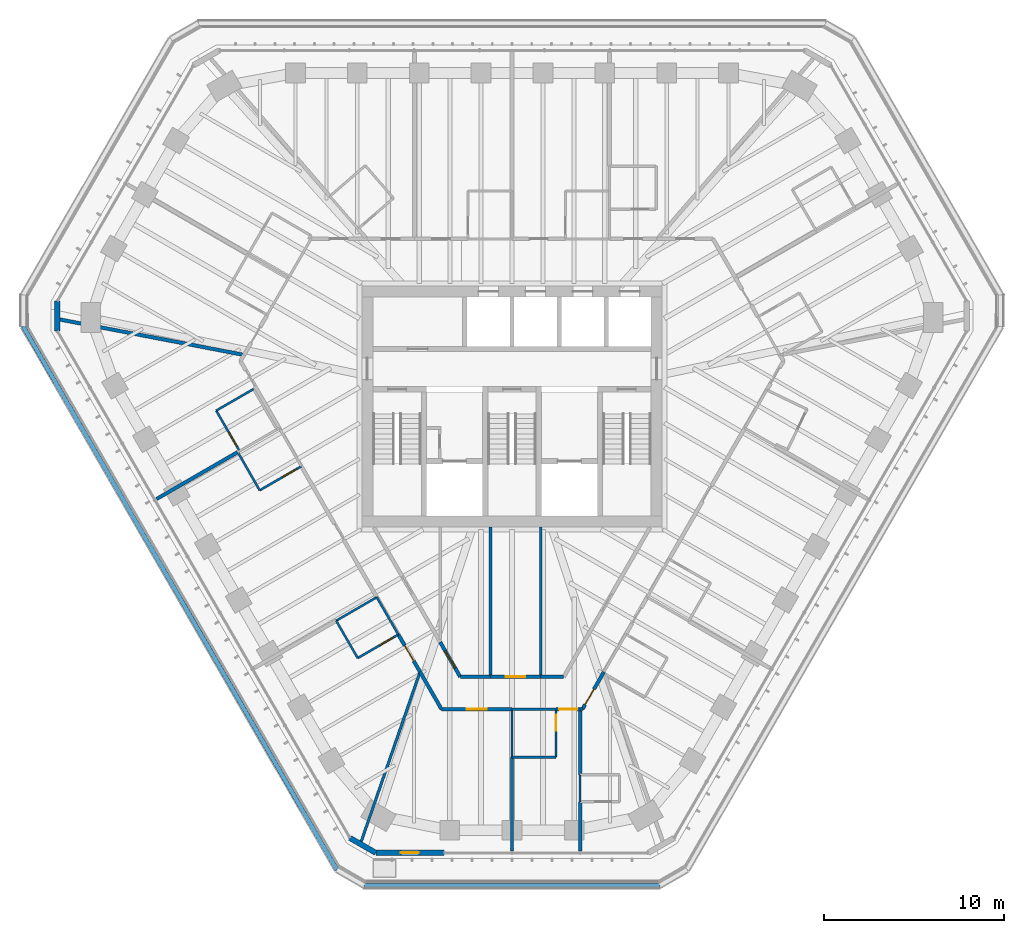
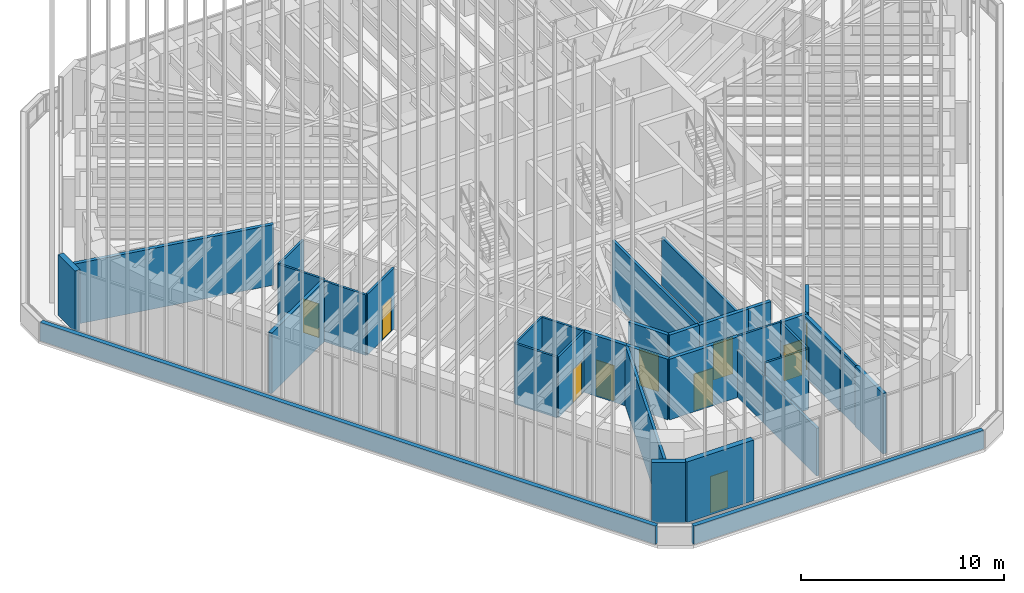
# One storey, part 120 of 127: 36 walls, 11 doors, 11 openings.
"""IFC4 building model written with IfcOpenShell, lengths in metres."""

import ifcopenshell
import ifcopenshell.guid

model = None  # the IFC model being written
_history = None  # IfcOwnerHistory: only IFC2X3 demands one
_inside = {}  # id of a spatial element -> (the spatial element, [elements in it])
_under = {}  # id of a project, library or spatial element -> (it, [spatial elements below it])
_declared = {}  # id of a project -> (the project, [libraries it declares])
_typed = {}  # id of a type object -> (the type object, [elements of that type])
_made_of = {}  # id of a material, layer set ... -> (it, [elements and type objects made of it])


def new_model(schema):
    """Start an empty IFC model of exactly this schema.

    Asked for "IFC4X3", IfcOpenShell would pick the latest addendum, in which some entities
    have other attributes; the version numbers below select the first issue.
    IFC2X3 requires an IfcOwnerHistory on every rooted entity: one is made here for all.
    """
    global model, _history
    if schema == "IFC4X3":
        model = ifcopenshell.file(schema_version=(4, 3, 0, 0))
    else:
        model = ifcopenshell.file(schema=schema)
    _inside.clear()
    _under.clear()
    _declared.clear()
    _typed.clear()
    _made_of.clear()
    _history = None
    if model.schema == "IFC2X3":
        org = make("IfcOrganization", Name="unknown")
        user = make(
            "IfcPersonAndOrganization",
            ThePerson=make("IfcPerson", FamilyName="unknown"),
            TheOrganization=org,
        )
        app = make(
            "IfcApplication",
            ApplicationDeveloper=org,
            Version="unknown",
            ApplicationFullName="unknown",
            ApplicationIdentifier="unknown",
        )
        _history = make(
            "IfcOwnerHistory",
            OwningUser=user,
            OwningApplication=app,
            ChangeAction="ADDED",
            CreationDate=0,
        )
    return model


def make(cls, **values):
    """One entity of the class cls with the attributes given. An attribute that is None is left unset."""
    return model.create_entity(
        cls, **{name: value for name, value in values.items() if value is not None}
    )


def rooted(cls, **values):
    """An entity with a GlobalId (a new one), such as an element, a storey or a relation."""
    return make(cls, GlobalId=ifcopenshell.guid.new(), OwnerHistory=_history, **values)


def si_unit(unit_type, name, prefix=None):
    """IfcSIUnit, for example si_unit("LENGTHUNIT", "METRE", prefix="MILLI")."""
    return make("IfcSIUnit", UnitType=unit_type, Prefix=prefix, Name=name)


def assignment(units):
    """IfcUnitAssignment: the units of a project."""
    return None if units is None else make("IfcUnitAssignment", Units=units)


def point(xyz):
    """IfcCartesianPoint."""
    return None if xyz is None else make("IfcCartesianPoint", Coordinates=xyz)


def direction(xyz):
    """IfcDirection."""
    return None if xyz is None else make("IfcDirection", DirectionRatios=xyz)


def frame(location, z_axis=None, x_axis=None):
    """IfcAxis2Placement3D, a coordinate frame: its origin and axes. An axis left out is left unset."""
    return make(
        "IfcAxis2Placement3D",
        Location=point(location),
        Axis=direction(z_axis),
        RefDirection=direction(x_axis),
    )


def frame_2d(location, x_axis=None):
    """IfcAxis2Placement2D, a coordinate frame in the plane: its origin and x axis."""
    return make(
        "IfcAxis2Placement2D", Location=point(location), RefDirection=direction(x_axis)
    )


def origin():
    """The frame at (0, 0, 0) with its axes left unset."""
    return frame((0.0, 0.0, 0.0))


def place(relative_to, where):
    """IfcLocalPlacement: puts the frame where relative to a parent placement (None: the world)."""
    return make(
        "IfcLocalPlacement", PlacementRelTo=relative_to, RelativePlacement=where
    )


def context(
    kind, dimensions, precision=None, world=None, true_north=None, identifier=None
):
    """IfcGeometricRepresentationContext, for example the 3D "Model" context."""
    return make(
        "IfcGeometricRepresentationContext",
        ContextIdentifier=identifier,
        ContextType=kind,
        CoordinateSpaceDimension=dimensions,
        Precision=precision,
        WorldCoordinateSystem=world,
        TrueNorth=true_north,
    )


def subcontext(parent, identifier, kind, view, scale=None):
    """IfcGeometricRepresentationSubContext, for example "Body" below "Model"."""
    return make(
        "IfcGeometricRepresentationSubContext",
        ContextIdentifier=identifier,
        ContextType=kind,
        ParentContext=parent,
        TargetScale=scale,
        TargetView=view,
    )


def project(units=None, contexts=None):
    """IfcProject with its units and contexts."""
    return rooted(
        "IfcProject",
        Name="project",
        RepresentationContexts=contexts,
        UnitsInContext=assignment(units),
    )


def spatial(cls, under=None, at=None, **own):
    """A site, building, storey or space (cls), placed at a placement, below another one or the project."""
    s = rooted(cls, ObjectPlacement=at, **own)
    if under is not None:
        _under.setdefault(under.id(), (under, []))[1].append(s)
    return s


def profile(cls, at=None, kind="AREA", **sizes):
    """A parametric profile (cls). Its sizes go by their IFC names, for example OverallWidth=200.0."""
    return make(cls, ProfileType=kind, Position=at, **sizes)


def rectangle(**sizes):
    """IfcRectangleProfileDef."""
    return profile("IfcRectangleProfileDef", **sizes)


def extrude(swept, where, along, depth):
    """IfcExtrudedAreaSolid: the profile swept, set in the frame where, extruded along a direction by depth."""
    return make(
        "IfcExtrudedAreaSolid",
        SweptArea=swept,
        Position=where,
        ExtrudedDirection=direction(along),
        Depth=depth,
    )


def shape(context_of_items, identifier, shape_type, items):
    """IfcShapeRepresentation: the items that make up one representation, for example the "Body"."""
    return make(
        "IfcShapeRepresentation",
        ContextOfItems=context_of_items,
        RepresentationIdentifier=identifier,
        RepresentationType=shape_type,
        Items=items,
    )


def material(Name=None, Category=None):
    """IfcMaterial."""
    return make("IfcMaterial", Name=Name, Category=Category)


def layer(
    of_material, thickness, ventilated=None, Name=None, Category=None, Priority=None
):
    """IfcMaterialLayer: one layer of a wall or slab, of a material (None: an air gap)."""
    return make(
        "IfcMaterialLayer",
        Material=of_material,
        LayerThickness=thickness,
        IsVentilated=ventilated,
        Name=Name,
        Category=Category,
        Priority=Priority,
    )


def layer_set(layers, Name=None):
    """IfcMaterialLayerSet."""
    return make("IfcMaterialLayerSet", MaterialLayers=layers, LayerSetName=Name)


def made_of(thing, what):
    """Note that an element or type object is made of a material, layer set ...; save() writes the relation."""
    if what is not None:
        _made_of.setdefault(what.id(), (what, []))[1].append(thing)
    return thing


def type_object(cls, material=None, **own):
    """A type object (cls), such as IfcWallType, which elements share."""
    return made_of(rooted(cls, **own), material)


def element(
    cls,
    number,
    at=None,
    inside=None,
    cuts=None,
    type_object=None,
    material=None,
    context=None,
    identifier="Body",
    shape_type=None,
    held_by="IfcProductDefinitionShape",
    body=None,
    shapes=None,
    **own,
):
    """One element of the class cls, such as IfcWall. Its Tag is "e" and its number.

    at: its placement. inside: the storey or other place that contains it. cuts: it is an
    opening in that element (IfcRelVoidsElement). A single representation is given by context,
    identifier, shape_type and body (its items); several are given by shapes. held_by: the class
    of the entity that holds the representations. save() writes the other relations.
    """
    e = rooted(cls, Tag="e%d" % number, ObjectPlacement=at, **own)
    if body is not None:
        shapes = [shape(context, identifier, shape_type, body)]
    if shapes is not None:
        e.Representation = make(held_by, Representations=shapes)
    if inside is not None:
        _inside.setdefault(inside.id(), (inside, []))[1].append(e)
    if cuts is not None:
        rooted(
            "IfcRelVoidsElement", RelatingBuildingElement=cuts, RelatedOpeningElement=e
        )
    if type_object is not None:
        _typed.setdefault(type_object.id(), (type_object, []))[1].append(e)
    return made_of(e, material)


def fill(opening, filler):
    """IfcRelFillsElement: the door or window that sits in an opening."""
    return rooted(
        "IfcRelFillsElement",
        RelatingOpeningElement=opening,
        RelatedBuildingElement=filler,
    )


def aggregate(whole, parts):
    """IfcRelAggregates: a whole, such as a stair, and the parts it consists of."""
    return rooted("IfcRelAggregates", RelatingObject=whole, RelatedObjects=parts)


def save(model, path):
    """Write the relations noted so far, then the file.

    IfcRelAggregates (storeys below a building ...), IfcRelContainedInSpatialStructure (elements
    in a storey), IfcRelDefinesByType, IfcRelAssociatesMaterial and IfcRelDeclares: one each for
    every whole, place, type object, material and project.
    """
    for whole, parts in _under.values():
        aggregate(whole, parts)
    for where, things in _inside.values():
        rooted(
            "IfcRelContainedInSpatialStructure",
            RelatedElements=things,
            RelatingStructure=where,
        )
    for kind, things in _typed.values():
        rooted("IfcRelDefinesByType", RelatedObjects=things, RelatingType=kind)
    for what, things in _made_of.values():
        rooted("IfcRelAssociatesMaterial", RelatedObjects=things, RelatingMaterial=what)
    for by, libraries in _declared.values():
        rooted("IfcRelDeclares", RelatingContext=by, RelatedDefinitions=libraries)
    model.write(path)


model = new_model("IFC4")

# Units and contexts
model_context = context("Model", 3, precision=1e-05, world=origin(), true_north=direction((0.0, 1.0)))
body_context = subcontext(model_context, "Body", "Model", "MODEL_VIEW")
ifc_project = project(units=[si_unit("LENGTHUNIT", "METRE"), si_unit("AREAUNIT", "SQUARE_METRE"), si_unit("VOLUMEUNIT", "CUBIC_METRE"), si_unit("PLANEANGLEUNIT", "RADIAN"), si_unit("MASSUNIT", "GRAM", prefix="KILO")], contexts=[model_context])

# Site, building, storey
site_placement = place(None, origin())
site = spatial("IfcSite", under=ifc_project, at=site_placement, CompositionType="ELEMENT")
building_placement = place(site_placement, origin())
building = spatial("IfcBuilding", under=site, at=building_placement, Name="Sandreach Pilgrim Tower", CompositionType="ELEMENT")
storey_placement = place(building_placement, frame((0.0, 0.0, 257.0)))
storey = spatial("IfcBuildingStorey", under=building, at=storey_placement, Name="L64", CompositionType="ELEMENT", Elevation=257.0)

# Walls
ifc_material_1 = material(Name="Gypsum board on steel studs", Category="steel")
ifc_layer_1 = layer(ifc_material_1, 0.14990234375)
ifc_layer_set_1 = layer_set([ifc_layer_1], Name="Back of house wall 150")
wall_type_1 = type_object("IfcWallType", Name="Back of house wall 150", PredefinedType="PARTITIONING", material=ifc_layer_set_1)
wall_1_placement = place(storey_placement, frame((-8.4501953125, -24.381591796875, 0.0), z_axis=(0.0, 0.0, 1.0), x_axis=(0.327680470733, 0.944788605509, 0.0)))
element("IfcWall", 1, at=wall_1_placement, inside=storey, type_object=wall_type_1, Name="Back of house wall L64-033", PredefinedType="PARTITIONING", context=body_context, shape_type="SweptSolid", body=[
    extrude(rectangle(XDim=10.07763671875, YDim=0.14990234375, at=frame_2d((5.038818359375, 0.0))), origin(), (0.0, 0.0, 1.0), 3.639892578125),
])
wall_2_placement = place(storey_placement, frame((-1.199951171875, -6.699951171875, 0.0), z_axis=(0.0, 0.0, 1.0), x_axis=(0.0, -1.0, 0.0)))
element("IfcWall", 2, at=wall_2_placement, inside=storey, type_object=wall_type_1, Name="Back of house wall L64-049", PredefinedType="PARTITIONING", context=body_context, shape_type="SweptSolid", body=[
    extrude(rectangle(XDim=8.360107421875, YDim=0.14990234375, at=frame_2d((4.18017578125, 0.0))), origin(), (0.0, 0.0, 1.0), 3.639892578125),
])
wall_3_placement = place(storey_placement, frame((0.0, -24.739990234375, 0.0), z_axis=(0.0, 0.0, 1.0), x_axis=(0.0, 1.0, 0.0)))
element("IfcWall", 3, at=wall_3_placement, inside=storey, type_object=wall_type_1, Name="Back of house wall L64-050", PredefinedType="PARTITIONING", context=body_context, shape_type="SweptSolid", body=[
    extrude(rectangle(XDim=5.2099609375, YDim=0.14990234375, at=frame_2d((2.60498046875, 0.0))), origin(), (0.0, 0.0, 1.0), 2.860107421875),
])
wall_4_placement = place(storey_placement, frame((1.60009765625, -6.699951171875, 0.0), z_axis=(0.0, 0.0, 1.0), x_axis=(0.0, -1.0, 0.0)))
element("IfcWall", 4, at=wall_4_placement, inside=storey, type_object=wall_type_1, Name="Back of house wall L64-059", PredefinedType="PARTITIONING", context=body_context, shape_type="SweptSolid", body=[
    extrude(rectangle(XDim=8.360107421875, YDim=0.14990234375, at=frame_2d((4.18017578125, 0.0))), origin(), (0.0, 0.0, 1.0), 2.860107421875),
])

# Wall, opening, door
ifc_material_2 = material(Name="Moisture-resistant gypsum board on steel studs", Category="steel")
ifc_layer_2 = layer(ifc_material_2, 0.1201171875)
ifc_layer_set_2 = layer_set([ifc_layer_2], Name="Bathroom partition 120")
wall_type_2 = type_object("IfcWallType", Name="Bathroom partition 120", PredefinedType="PARTITIONING", material=ifc_layer_set_2)
wall_5_placement = place(storey_placement, frame((-16.469970703125, -0.22998046875, 0.0), z_axis=(0.0, 0.0, 1.0), x_axis=(0.500291685314, -0.865856933682, 0.0)))
wall_5 = element("IfcWall", 5, at=wall_5_placement, inside=storey, type_object=wall_type_2, Name="Bathroom partition L64-005", PredefinedType="PARTITIONING", context=body_context, shape_type="SweptSolid", body=[
    extrude(rectangle(XDim=2.5986328125, YDim=0.1201171875, at=frame_2d((1.29931640625, 0.0))), origin(), (0.0, 0.0, 1.0), 3.639892578125),
])
opening_1_placement = place(wall_5_placement, frame((1.398681640625, 0.0, 0.0)))
opening_1 = element("IfcOpeningElement", 6, at=opening_1_placement, cuts=wall_5, Name="Opening D09-15B", PredefinedType="OPENING", context=body_context, shape_type="SweptSolid", body=[
    extrude(rectangle(XDim=0.89990234375, YDim=2.030029296875, at=frame_2d((0.449951171875, 1.01513671875))), frame((0.0, 0.06005859375, 0.0), z_axis=(0.0, -1.0, 0.0), x_axis=(1.0, 0.0, 0.0)), (0.0, 0.0, 1.0), 0.1201171875),
])
ifc_material_3 = material(Name="Timber door, steel frame", Category="steel")
door_type_1 = type_object("IfcDoorType", Name="Bathroom door", OperationType="SINGLE_SWING_LEFT", PredefinedType="DOOR", material=ifc_material_3)
door_1_placement = place(opening_1_placement, origin())
door_1 = element("IfcDoor", 7, at=door_1_placement, inside=storey, type_object=door_type_1, Name="Door 6415B", OperationType="SINGLE_SWING_RIGHT", OverallHeight=2.030029296875, OverallWidth=0.89990234375, PredefinedType="DOOR", context=body_context, shape_type="SweptSolid", body=[
    extrude(rectangle(XDim=0.89990234375, YDim=2.030029296875, at=frame_2d((0.449951171875, 1.01513671875))), frame((0.0, 0.02490234375, 0.0), z_axis=(0.0, -1.0, 0.0), x_axis=(1.0, 0.0, 0.0)), (0.0, 0.0, 1.0), 0.050048828125),
])
fill(opening_1, door_1)

# Walls
wall_6_placement = place(storey_placement, frame((-15.27001953125, -2.5400390625, 0.0), z_axis=(0.0, 0.0, 1.0), x_axis=(0.497027744361, -0.86773464915, 0.0)))
element("IfcWall", 8, at=wall_6_placement, inside=storey, type_object=wall_type_2, Name="Bathroom partition L64-008", PredefinedType="PARTITIONING", context=body_context, shape_type="SweptSolid", body=[
    extrude(rectangle(XDim=2.45458984375, YDim=0.1201171875, at=frame_2d((1.227294921875, 0.0))), origin(), (0.0, 0.0, 1.0), 3.639892578125),
])
wall_7_placement = place(storey_placement, frame((-14.389892578125, 0.969970703125, 0.0), z_axis=(0.0, 0.0, 1.0), x_axis=(-0.866202511239, -0.499693115345, 0.0)))
element("IfcWall", 9, at=wall_7_placement, inside=storey, type_object=wall_type_2, Name="Bathroom partition L64-015", PredefinedType="PARTITIONING", context=body_context, shape_type="SweptSolid", body=[
    extrude(rectangle(XDim=2.4013671875, YDim=0.1201171875, at=frame_2d((1.20068359375, 0.0))), origin(), (0.0, 0.0, 1.0), 3.639892578125),
])

# Wall, opening, door
wall_8_placement = place(storey_placement, frame((-14.050048828125, -4.669921875, 0.0), z_axis=(0.0, 0.0, 1.0), x_axis=(0.865968562295, 0.500098439427, 0.0)))
wall_8 = element("IfcWall", 10, at=wall_8_placement, inside=storey, type_object=wall_type_2, Name="Bathroom partition L64-017", PredefinedType="PARTITIONING", context=body_context, shape_type="SweptSolid", body=[
    extrude(rectangle(XDim=2.67919921875, YDim=0.1201171875, at=frame_2d((1.339599609375, 0.0))), origin(), (0.0, 0.0, 1.0), 3.639892578125),
])
opening_2_placement = place(wall_8_placement, frame((1.479248046875, 0.0, 0.0)))
opening_2 = element("IfcOpeningElement", 11, at=opening_2_placement, cuts=wall_8, Name="Opening D09-14B", PredefinedType="OPENING", context=body_context, shape_type="SweptSolid", body=[
    extrude(rectangle(XDim=0.89990234375, YDim=2.030029296875, at=frame_2d((0.449951171875, 1.01513671875))), frame((0.0, 0.06005859375, 0.0), z_axis=(0.0, -1.0, 0.0), x_axis=(1.0, 0.0, 0.0)), (0.0, 0.0, 1.0), 0.1201171875),
])
door_2_placement = place(opening_2_placement, origin())
door_2 = element("IfcDoor", 12, at=door_2_placement, inside=storey, type_object=door_type_1, Name="Door 6414B", OperationType="SINGLE_SWING_RIGHT", OverallHeight=2.030029296875, OverallWidth=0.89990234375, PredefinedType="DOOR", context=body_context, shape_type="SweptSolid", body=[
    extrude(rectangle(XDim=0.89990234375, YDim=2.030029296875, at=frame_2d((0.449951171875, 1.01513671875))), frame((0.0, 0.02490234375, 0.0), z_axis=(0.0, -1.0, 0.0), x_axis=(1.0, 0.0, 0.0)), (0.0, 0.0, 1.0), 0.050048828125),
])
fill(opening_2, door_2)

# Walls
wall_9_placement = place(storey_placement, frame((-9.7900390625, -11.929931640625, 0.0), z_axis=(0.0, 0.0, 1.0), x_axis=(0.499693115345, -0.866202511239, 0.0)))
element("IfcWall", 13, at=wall_9_placement, inside=storey, type_object=wall_type_2, Name="Bathroom partition L64-028", PredefinedType="PARTITIONING", context=body_context, shape_type="SweptSolid", body=[
    extrude(rectangle(XDim=2.4013671875, YDim=0.1201171875, at=frame_2d((1.20068359375, 0.0))), origin(), (0.0, 0.0, 1.0), 3.639892578125),
])
wall_10_placement = place(storey_placement, frame((-9.7900390625, -11.929931640625, 0.0), z_axis=(0.0, 0.0, 1.0), x_axis=(0.865195830568, 0.501434118073, 0.0)))
element("IfcWall", 14, at=wall_10_placement, inside=storey, type_object=wall_type_2, Name="Bathroom partition L64-029", PredefinedType="PARTITIONING", context=body_context, shape_type="SweptSolid", body=[
    extrude(rectangle(XDim=2.612060546875, YDim=0.1201171875, at=frame_2d((1.30615234375, 0.0))), origin(), (0.0, 0.0, 1.0), 3.639892578125),
])

# Wall, opening, door
wall_11_placement = place(storey_placement, frame((-8.590087890625, -14.010009765625, 0.0), z_axis=(0.0, 0.0, 1.0), x_axis=(0.865155281359, 0.50150407689, 0.0)))
wall_11 = element("IfcWall", 15, at=wall_11_placement, inside=storey, type_object=wall_type_2, Name="Bathroom partition L64-030", PredefinedType="PARTITIONING", context=body_context, shape_type="SweptSolid", body=[
    extrude(rectangle(XDim=2.6123046875, YDim=0.1201171875, at=frame_2d((1.30615234375, 0.0))), origin(), (0.0, 0.0, 1.0), 3.639892578125),
])
opening_3_placement = place(wall_11_placement, frame((1.412109375, 0.0, 0.0)))
opening_3 = element("IfcOpeningElement", 16, at=opening_3_placement, cuts=wall_11, Name="Opening D09-13B", PredefinedType="OPENING", context=body_context, shape_type="SweptSolid", body=[
    extrude(rectangle(XDim=0.89990234375, YDim=2.030029296875, at=frame_2d((0.449951171875, 1.01513671875))), frame((0.0, 0.06005859375, 0.0), z_axis=(0.0, -1.0, 0.0), x_axis=(1.0, 0.0, 0.0)), (0.0, 0.0, 1.0), 0.1201171875),
])
door_3_placement = place(opening_3_placement, origin())
door_3 = element("IfcDoor", 17, at=door_3_placement, inside=storey, type_object=door_type_1, Name="Door 6413B", OperationType="SINGLE_SWING_RIGHT", OverallHeight=2.030029296875, OverallWidth=0.89990234375, PredefinedType="DOOR", context=body_context, shape_type="SweptSolid", body=[
    extrude(rectangle(XDim=0.89990234375, YDim=2.030029296875, at=frame_2d((0.449951171875, 1.01513671875))), frame((0.0, 0.02490234375, 0.0), z_axis=(0.0, -1.0, 0.0), x_axis=(1.0, 0.0, 0.0)), (0.0, 0.0, 1.0), 0.050048828125),
])
fill(opening_3, door_3)

# Walls
wall_12_placement = place(storey_placement, frame((-7.530029296875, -10.6201171875, 0.0), z_axis=(0.0, 0.0, 1.0), x_axis=(0.499737123639, -0.866177122335, 0.0)))
element("IfcWall", 18, at=wall_12_placement, inside=storey, type_object=wall_type_2, Name="Bathroom partition L64-036", PredefinedType="PARTITIONING", context=body_context, shape_type="SweptSolid", body=[
    extrude(rectangle(XDim=2.401123046875, YDim=0.1201171875, at=frame_2d((1.20068359375, 0.0))), origin(), (0.0, 0.0, 1.0), 3.639892578125),
])
wall_13_placement = place(storey_placement, frame((0.0, -19.530029296875, 0.0), z_axis=(0.0, 0.0, 1.0), x_axis=(0.0, 1.0, 0.0)))
element("IfcWall", 19, at=wall_13_placement, inside=storey, type_object=wall_type_2, Name="Bathroom partition L64-051", PredefinedType="PARTITIONING", context=body_context, shape_type="SweptSolid", body=[
    extrude(rectangle(XDim=2.669921875, YDim=0.1201171875, at=frame_2d((1.3349609375, 0.0))), origin(), (0.0, 0.0, 1.0), 2.860107421875),
])
for number, where, z_axis, x_axis, name in (
    (20, (0.0, -19.530029296875, 0.0), (0.0, 0.0, 1.0), (1.0, 0.0, 0.0), "Bathroom partition L64-052"),
    (21, (0.0, -16.860107421875, 0.0), (0.0, 0.0, 1.0), (1.0, 0.0, 0.0), "Bathroom partition L64-053"),
):
    element("IfcWall", number, at=place(storey_placement, frame(where, z_axis=z_axis, x_axis=x_axis)), inside=storey, type_object=wall_type_2, Name=name, PredefinedType="PARTITIONING", context=body_context, shape_type="SweptSolid", body=[
        extrude(rectangle(XDim=2.449951171875, YDim=0.1201171875, at=frame_2d((1.22509765625, 0.0))), origin(), (0.0, 0.0, 1.0), 3.639892578125),
    ])

# Wall, opening, door
wall_14_placement = place(storey_placement, frame((2.449951171875, -19.530029296875, 0.0), z_axis=(0.0, 0.0, 1.0), x_axis=(0.0, 1.0, 0.0)))
wall_14 = element("IfcWall", 22, at=wall_14_placement, inside=storey, type_object=wall_type_2, Name="Bathroom partition L64-060", PredefinedType="PARTITIONING", context=body_context, shape_type="SweptSolid", body=[
    extrude(rectangle(XDim=2.669921875, YDim=0.1201171875, at=frame_2d((1.3349609375, 0.0))), origin(), (0.0, 0.0, 1.0), 3.639892578125),
])
opening_4_placement = place(wall_14_placement, frame((1.469970703125, 0.0, 0.0)))
opening_4 = element("IfcOpeningElement", 23, at=opening_4_placement, cuts=wall_14, Name="Opening D09-11B", PredefinedType="OPENING", context=body_context, shape_type="SweptSolid", body=[
    extrude(rectangle(XDim=0.89990234375, YDim=2.030029296875, at=frame_2d((0.449951171875, 1.01513671875))), frame((0.0, 0.06005859375, 0.0), z_axis=(0.0, -1.0, 0.0), x_axis=(1.0, 0.0, 0.0)), (0.0, 0.0, 1.0), 0.1201171875),
])
door_4_placement = place(opening_4_placement, origin())
door_4 = element("IfcDoor", 24, at=door_4_placement, inside=storey, type_object=door_type_1, Name="Door 6411B", OperationType="SINGLE_SWING_RIGHT", OverallHeight=2.030029296875, OverallWidth=0.89990234375, PredefinedType="DOOR", context=body_context, shape_type="SweptSolid", body=[
    extrude(rectangle(XDim=0.89990234375, YDim=2.030029296875, at=frame_2d((0.449951171875, 1.01513671875))), frame((0.0, 0.02490234375, 0.0), z_axis=(0.0, -1.0, 0.0), x_axis=(1.0, 0.0, 0.0)), (0.0, 0.0, 1.0), 0.050048828125),
])
fill(opening_4, door_4)

# Wall
wall_15_placement = place(storey_placement, frame((3.7900390625, -22.010009765625, 0.0), z_axis=(0.0, 0.0, 1.0), x_axis=(0.0, 1.0, 0.0)))
element("IfcWall", 25, at=wall_15_placement, inside=storey, type_object=wall_type_2, Name="Bathroom partition L64-066", PredefinedType="PARTITIONING", context=body_context, shape_type="SweptSolid", body=[
    extrude(rectangle(XDim=1.5, YDim=0.1201171875, at=frame_2d((0.75, 0.0))), origin(), (0.0, 0.0, 1.0), 3.639892578125),
])

# Wall, opening, door
ifc_material_4 = material(Name="Gypsum board on steel studs, two layers each side", Category="steel")
ifc_layer_3 = layer(ifc_material_4, 0.199951171875)
ifc_layer_set_3 = layer_set([ifc_layer_3], Name="Corridor wall 200")
wall_type_3 = type_object("IfcWallType", Name="Corridor wall 200", PredefinedType="PARTITIONING", material=ifc_layer_set_3)
wall_16_placement = place(storey_placement, frame((-6.330078125, -12.699951171875, 0.0), z_axis=(0.0, 0.0, 1.0), x_axis=(0.502810888564, -0.864396442809, 0.0)))
wall_16 = element("IfcWall", 26, at=wall_16_placement, inside=storey, type_object=wall_type_3, Name="Corridor wall L64-038", PredefinedType="PARTITIONING", context=body_context, shape_type="SweptSolid", body=[
    extrude(rectangle(XDim=2.406494140625, YDim=0.199951171875, at=frame_2d((1.203125, 0.0))), origin(), (0.0, 0.0, 1.0), 3.639892578125),
])
opening_5_placement = place(wall_16_placement, frame((0.703125, 0.0, 0.0)))
opening_5 = element("IfcOpeningElement", 27, at=opening_5_placement, cuts=wall_16, Name="Opening D10-13", PredefinedType="OPENING", context=body_context, shape_type="SweptSolid", body=[
    extrude(rectangle(XDim=1.0, YDim=2.1298828125, at=frame_2d((0.5, 1.06494140625))), frame((0.0, 0.10009765625, 0.0), z_axis=(0.0, -1.0, 0.0), x_axis=(1.0, 0.0, 0.0)), (0.0, 0.0, 1.0), 0.199951171875),
])
ifc_material_5 = material(Name="Steel door and frame", Category="steel")
door_type_2 = type_object("IfcDoorType", Name="Guest room entry door", OperationType="SINGLE_SWING_LEFT", PredefinedType="DOOR", material=ifc_material_5)
door_5_placement = place(opening_5_placement, origin())
door_5 = element("IfcDoor", 28, at=door_5_placement, inside=storey, type_object=door_type_2, Name="Door 6413", OperationType="SINGLE_SWING_LEFT", OverallHeight=2.1298828125, OverallWidth=1.0, PredefinedType="DOOR", context=body_context, shape_type="SweptSolid", body=[
    extrude(rectangle(XDim=1.0, YDim=2.1298828125, at=frame_2d((0.5, 1.06494140625))), frame((0.0, 0.02490234375, 0.0), z_axis=(0.0, -1.0, 0.0), x_axis=(1.0, 0.0, 0.0)), (0.0, 0.0, 1.0), 0.050048828125),
])
fill(opening_5, door_5)

# Wall
wall_17_placement = place(storey_placement, frame((-5.1201171875, -14.780029296875, 0.0), z_axis=(0.0, 0.0, 1.0), x_axis=(0.499813401482, -0.866133109688, 0.0)))
element("IfcWall", 29, at=wall_17_placement, inside=storey, type_object=wall_type_3, Name="Corridor wall L64-042", PredefinedType="PARTITIONING", context=body_context, shape_type="SweptSolid", body=[
    extrude(rectangle(XDim=2.4013671875, YDim=0.199951171875, at=frame_2d((1.20068359375, 0.0))), origin(), (0.0, 0.0, 1.0), 3.639892578125),
])

# Wall, opening, door
wall_18_placement = place(storey_placement, frame((-3.919921875, -16.860107421875, 0.0), z_axis=(0.0, 0.0, 1.0), x_axis=(1.0, 0.0, 0.0)))
wall_18 = element("IfcWall", 30, at=wall_18_placement, inside=storey, type_object=wall_type_3, Name="Corridor wall L64-045", PredefinedType="PARTITIONING", context=body_context, shape_type="SweptSolid", body=[
    extrude(rectangle(XDim=3.919921875, YDim=0.199951171875, at=frame_2d((1.9599609375, 0.0))), origin(), (0.0, 0.0, 1.0), 3.639892578125),
])
opening_6_placement = place(wall_18_placement, frame((1.409912109375, 0.0, 0.0)))
opening_6 = element("IfcOpeningElement", 31, at=opening_6_placement, cuts=wall_18, Name="Opening D11H-12", PredefinedType="OPENING", context=body_context, shape_type="SweptSolid", body=[
    extrude(rectangle(XDim=1.10009765625, YDim=2.199951171875, at=frame_2d((0.550048828125, 1.10009765625))), frame((0.0, 0.10009765625, 0.0), z_axis=(0.0, -1.0, 0.0), x_axis=(1.0, 0.0, 0.0)), (0.0, 0.0, 1.0), 0.199951171875),
])
ifc_material_6 = material(Name="Steel door and frame", Category="steel")
door_type_3 = type_object("IfcDoorType", Name="Back of house door", OperationType="SINGLE_SWING_LEFT", PredefinedType="DOOR", material=ifc_material_6)
door_6_placement = place(opening_6_placement, origin())
door_6 = element("IfcDoor", 32, at=door_6_placement, inside=storey, type_object=door_type_3, Name="Door 6412", OperationType="SINGLE_SWING_LEFT", OverallHeight=2.199951171875, OverallWidth=1.10009765625, PredefinedType="DOOR", context=body_context, shape_type="SweptSolid", body=[
    extrude(rectangle(XDim=1.10009765625, YDim=2.199951171875, at=frame_2d((0.550048828125, 1.10009765625))), frame((0.0, 0.02490234375, 0.0), z_axis=(0.0, -1.0, 0.0), x_axis=(1.0, 0.0, 0.0)), (0.0, 0.0, 1.0), 0.050048828125),
])
fill(opening_6, door_6)

wall_19_placement = place(storey_placement, frame((-2.8798828125, -15.06005859375, 0.0), z_axis=(0.0, 0.0, 1.0), x_axis=(-0.499983441833, 0.866034963436, 0.0)))
wall_19 = element("IfcWall", 33, at=wall_19_placement, inside=storey, type_object=wall_type_3, Name="Corridor wall L64-046", PredefinedType="PARTITIONING", context=body_context, shape_type="SweptSolid", body=[
    extrude(rectangle(XDim=2.240234375, YDim=0.199951171875, at=frame_2d((1.1201171875, 0.0))), origin(), (0.0, 0.0, 1.0), 3.639892578125),
])
opening_7_placement = place(wall_19_placement, frame((0.570068359375, 0.0, 0.0)))
opening_7 = element("IfcOpeningElement", 34, at=opening_7_placement, cuts=wall_19, Name="Opening D11H-S2", PredefinedType="OPENING", context=body_context, shape_type="SweptSolid", body=[
    extrude(rectangle(XDim=1.10009765625, YDim=2.199951171875, at=frame_2d((0.550048828125, 1.10009765625))), frame((0.0, 0.10009765625, 0.0), z_axis=(0.0, -1.0, 0.0), x_axis=(1.0, 0.0, 0.0)), (0.0, 0.0, 1.0), 0.199951171875),
])
door_7_placement = place(opening_7_placement, origin())
door_7 = element("IfcDoor", 35, at=door_7_placement, inside=storey, type_object=door_type_3, Name="Door 64S2", OperationType="SINGLE_SWING_LEFT", OverallHeight=2.199951171875, OverallWidth=1.10009765625, PredefinedType="DOOR", context=body_context, shape_type="SweptSolid", body=[
    extrude(rectangle(XDim=1.10009765625, YDim=2.199951171875, at=frame_2d((0.550048828125, 1.10009765625))), frame((0.0, 0.02490234375, 0.0), z_axis=(0.0, -1.0, 0.0), x_axis=(1.0, 0.0, 0.0)), (0.0, 0.0, 1.0), 0.050048828125),
])
fill(opening_7, door_7)

# Wall
wall_20_placement = place(storey_placement, frame((-1.199951171875, -15.06005859375, 0.0), z_axis=(0.0, 0.0, 1.0), x_axis=(-1.0, 0.0, 0.0)))
element("IfcWall", 36, at=wall_20_placement, inside=storey, type_object=wall_type_3, Name="Corridor wall L64-048", PredefinedType="PARTITIONING", context=body_context, shape_type="SweptSolid", body=[
    extrude(rectangle(XDim=1.679931640625, YDim=0.199951171875, at=frame_2d((0.83984375, 0.0))), origin(), (0.0, 0.0, 1.0), 3.639892578125),
])

# Wall, opening, door
wall_21_placement = place(storey_placement, frame((1.60009765625, -15.06005859375, 0.0), z_axis=(0.0, 0.0, 1.0), x_axis=(-1.0, 0.0, 0.0)))
wall_21 = element("IfcWall", 37, at=wall_21_placement, inside=storey, type_object=wall_type_3, Name="Corridor wall L64-058", PredefinedType="PARTITIONING", context=body_context, shape_type="SweptSolid", body=[
    extrude(rectangle(XDim=2.800048828125, YDim=0.199951171875, at=frame_2d((1.39990234375, 0.0))), origin(), (0.0, 0.0, 1.0), 3.639892578125),
])
opening_8_placement = place(wall_21_placement, frame((0.85009765625, 0.0, 0.0)))
opening_8 = element("IfcOpeningElement", 38, at=opening_8_placement, cuts=wall_21, Name="Opening D11H-S3", PredefinedType="OPENING", context=body_context, shape_type="SweptSolid", body=[
    extrude(rectangle(XDim=1.10009765625, YDim=2.199951171875, at=frame_2d((0.550048828125, 1.10009765625))), frame((0.0, 0.10009765625, 0.0), z_axis=(0.0, -1.0, 0.0), x_axis=(1.0, 0.0, 0.0)), (0.0, 0.0, 1.0), 0.199951171875),
])
door_8_placement = place(opening_8_placement, origin())
door_8 = element("IfcDoor", 39, at=door_8_placement, inside=storey, type_object=door_type_3, Name="Door 64S3", OperationType="SINGLE_SWING_LEFT", OverallHeight=2.199951171875, OverallWidth=1.10009765625, PredefinedType="DOOR", context=body_context, shape_type="SweptSolid", body=[
    extrude(rectangle(XDim=1.10009765625, YDim=2.199951171875, at=frame_2d((0.550048828125, 1.10009765625))), frame((0.0, 0.02490234375, 0.0), z_axis=(0.0, -1.0, 0.0), x_axis=(1.0, 0.0, 0.0)), (0.0, 0.0, 1.0), 0.050048828125),
])
fill(opening_8, door_8)

wall_22_placement = place(storey_placement, frame((2.449951171875, -16.860107421875, 0.0), z_axis=(0.0, 0.0, 1.0), x_axis=(1.0, 0.0, 0.0)))
wall_22 = element("IfcWall", 40, at=wall_22_placement, inside=storey, type_object=wall_type_3, Name="Corridor wall L64-061", PredefinedType="PARTITIONING", context=body_context, shape_type="SweptSolid", body=[
    extrude(rectangle(XDim=1.340087890625, YDim=0.199951171875, at=frame_2d((0.669921875, 0.0))), origin(), (0.0, 0.0, 1.0), 3.639892578125),
])
opening_9_placement = place(wall_22_placement, frame((0.169921875, 0.0, 0.0)))
opening_9 = element("IfcOpeningElement", 41, at=opening_9_placement, cuts=wall_22, Name="Opening D10-11", PredefinedType="OPENING", context=body_context, shape_type="SweptSolid", body=[
    extrude(rectangle(XDim=1.0, YDim=2.1298828125, at=frame_2d((0.5, 1.06494140625))), frame((0.0, 0.10009765625, 0.0), z_axis=(0.0, -1.0, 0.0), x_axis=(1.0, 0.0, 0.0)), (0.0, 0.0, 1.0), 0.199951171875),
])
door_9_placement = place(opening_9_placement, origin())
door_9 = element("IfcDoor", 42, at=door_9_placement, inside=storey, type_object=door_type_2, Name="Door 6411", OperationType="SINGLE_SWING_LEFT", OverallHeight=2.1298828125, OverallWidth=1.0, PredefinedType="DOOR", context=body_context, shape_type="SweptSolid", body=[
    extrude(rectangle(XDim=1.0, YDim=2.1298828125, at=frame_2d((0.5, 1.06494140625))), frame((0.0, 0.02490234375, 0.0), z_axis=(0.0, -1.0, 0.0), x_axis=(1.0, 0.0, 0.0)), (0.0, 0.0, 1.0), 0.050048828125),
])
fill(opening_9, door_9)

# Walls
wall_23_placement = place(storey_placement, frame((2.8798828125, -15.06005859375, 0.0), z_axis=(0.0, 0.0, 1.0), x_axis=(-1.0, 0.0, 0.0)))
element("IfcWall", 43, at=wall_23_placement, inside=storey, type_object=wall_type_3, Name="Corridor wall L64-062", PredefinedType="PARTITIONING", context=body_context, shape_type="SweptSolid", body=[
    extrude(rectangle(XDim=1.27978515625, YDim=0.199951171875, at=frame_2d((0.639892578125, 0.0))), origin(), (0.0, 0.0, 1.0), 3.639892578125),
])
wall_24_placement = place(storey_placement, frame((3.7900390625, -16.860107421875, 0.0), z_axis=(0.0, 0.0, 1.0), x_axis=(1.0, 0.0, 0.0)))
element("IfcWall", 44, at=wall_24_placement, inside=storey, type_object=wall_type_3, Name="Corridor wall L64-069", PredefinedType="PARTITIONING", context=body_context, shape_type="SweptSolid", body=[
    extrude(rectangle(XDim=0.1298828125, YDim=0.199951171875, at=frame_2d((0.06494140625, 0.0))), origin(), (0.0, 0.0, 1.0), 3.639892578125),
])

# Wall, opening, door
wall_25_placement = place(storey_placement, frame((3.919921875, -16.860107421875, 0.0), z_axis=(0.0, 0.0, 1.0), x_axis=(0.499693115345, 0.866202511239, 0.0)))
wall_25 = element("IfcWall", 45, at=wall_25_placement, inside=storey, type_object=wall_type_3, Name="Corridor wall L64-070", PredefinedType="PARTITIONING", context=body_context, shape_type="SweptSolid", body=[
    extrude(rectangle(XDim=2.4013671875, YDim=0.199951171875, at=frame_2d((1.20068359375, 0.0))), origin(), (0.0, 0.0, 1.0), 3.639892578125),
])
opening_10_placement = place(wall_25_placement, frame((0.300048828125, 0.0, 0.0)))
opening_10 = element("IfcOpeningElement", 46, at=opening_10_placement, cuts=wall_25, Name="Opening D10-10", PredefinedType="OPENING", context=body_context, shape_type="SweptSolid", body=[
    extrude(rectangle(XDim=1.0, YDim=2.1298828125, at=frame_2d((0.5, 1.06494140625))), frame((0.0, 0.10009765625, 0.0), z_axis=(0.0, -1.0, 0.0), x_axis=(1.0, 0.0, 0.0)), (0.0, 0.0, 1.0), 0.199951171875),
])
door_10_placement = place(opening_10_placement, origin())
door_10 = element("IfcDoor", 47, at=door_10_placement, inside=storey, type_object=door_type_2, Name="Door 6410", OperationType="SINGLE_SWING_LEFT", OverallHeight=2.1298828125, OverallWidth=1.0, PredefinedType="DOOR", context=body_context, shape_type="SweptSolid", body=[
    extrude(rectangle(XDim=1.0, YDim=2.1298828125, at=frame_2d((0.5, 1.06494140625))), frame((0.0, 0.02490234375, 0.0), z_axis=(0.0, -1.0, 0.0), x_axis=(1.0, 0.0, 0.0)), (0.0, 0.0, 1.0), 0.050048828125),
])
fill(opening_10, door_10)

# Walls
ifc_material_7 = material(Name="Double steel stud acoustic wall, gypsum board", Category="steel")
ifc_layer_4 = layer(ifc_material_7, 0.199951171875)
ifc_layer_set_4 = layer_set([ifc_layer_4], Name="Party wall 200")
wall_type_4 = type_object("IfcWallType", Name="Party wall 200", PredefinedType="PARTITIONING", material=ifc_layer_set_4)
wall_26_placement = place(storey_placement, frame((-25.340576171875, 4.874267578125, 0.0), z_axis=(0.0, 0.0, 1.0), x_axis=(0.982001168061, -0.188874841966, 0.0)))
element("IfcWall", 48, at=wall_26_placement, inside=storey, type_object=wall_type_4, Name="Party wall L64-001", PredefinedType="PARTITIONING", context=body_context, shape_type="SweptSolid", body=[
    extrude(rectangle(XDim=10.556640625, YDim=0.199951171875, at=frame_2d((5.2783203125, 0.0))), origin(), (0.0, 0.0, 1.0), 3.639892578125),
])
wall_27_placement = place(storey_placement, frame((-19.7861328125, -5.14990234375, 0.0), z_axis=(0.0, 0.0, 1.0), x_axis=(0.865819112627, 0.500357136663, 0.0)))
element("IfcWall", 49, at=wall_27_placement, inside=storey, type_object=wall_type_4, Name="Party wall L64-003", PredefinedType="PARTITIONING", context=body_context, shape_type="SweptSolid", body=[
    extrude(rectangle(XDim=5.216064453125, YDim=0.199951171875, at=frame_2d((2.60791015625, 0.0))), origin(), (0.0, 0.0, 1.0), 3.639892578125),
])
wall_28_placement = place(storey_placement, frame((3.7900390625, -24.739990234375, 0.0), z_axis=(0.0, 0.0, 1.0), x_axis=(0.0, 1.0, 0.0)))
element("IfcWall", 50, at=wall_28_placement, inside=storey, type_object=wall_type_4, Name="Party wall L64-065", PredefinedType="PARTITIONING", context=body_context, shape_type="SweptSolid", body=[
    extrude(rectangle(XDim=2.72998046875, YDim=0.199951171875, at=frame_2d((1.364990234375, 0.0))), origin(), (0.0, 0.0, 1.0), 3.639892578125),
])
wall_29_placement = place(storey_placement, frame((3.7900390625, -20.510009765625, 0.0), z_axis=(0.0, 0.0, 1.0), x_axis=(0.0, 1.0, 0.0)))
element("IfcWall", 51, at=wall_29_placement, inside=storey, type_object=wall_type_4, Name="Party wall L64-068", PredefinedType="PARTITIONING", context=body_context, shape_type="SweptSolid", body=[
    extrude(rectangle(XDim=3.639892578125, YDim=0.199951171875, at=frame_2d((1.81982421875, 0.0))), origin(), (0.0, 0.0, 1.0), 3.639892578125),
])

# Wall, opening, door
ifc_material_8 = material(Name="Terracotta rainscreen on concrete blockwork", Category="masonry")
ifc_layer_5 = layer(ifc_material_8, 0.300048828125)
ifc_layer_set_5 = layer_set([ifc_layer_5], Name="Roof maintenance door wall")
wall_type_5 = type_object("IfcWallType", Name="Roof maintenance door wall", PredefinedType="SOLIDWALL", material=ifc_layer_set_5)
wall_30_placement = place(storey_placement, frame((-3.791748046875, -24.858154296875, 0.0), z_axis=(0.0, 0.0, 1.0), x_axis=(-1.0, 0.0, 0.0)))
wall_30 = element("IfcWall", 52, at=wall_30_placement, inside=storey, type_object=wall_type_5, Name="Roof maintenance door wall L64 S", PredefinedType="SOLIDWALL", context=body_context, shape_type="SweptSolid", body=[
    extrude(rectangle(XDim=3.791748046875, YDim=0.300048828125, at=frame_2d((1.89599609375, 0.0))), origin(), (0.0, 0.0, 1.0), 3.639892578125),
])
opening_11_placement = place(wall_30_placement, frame((1.395751953125, 0.0, 0.0)))
opening_11 = element("IfcOpeningElement", 53, at=opening_11_placement, cuts=wall_30, Name="Opening D10R-L64", PredefinedType="OPENING", context=body_context, shape_type="SweptSolid", body=[
    extrude(rectangle(XDim=1.0, YDim=2.199951171875, at=frame_2d((0.5, 1.10009765625))), frame((0.0, 0.14990234375, 0.0), z_axis=(0.0, -1.0, 0.0), x_axis=(1.0, 0.0, 0.0)), (0.0, 0.0, 1.0), 0.300048828125),
])
ifc_material_9 = material(Name="Steel door and frame", Category="steel")
door_type_4 = type_object("IfcDoorType", Name="Roof maintenance door", OperationType="SINGLE_SWING_LEFT", PredefinedType="DOOR", material=ifc_material_9)
door_11_placement = place(opening_11_placement, origin())
door_11 = element("IfcDoor", 54, at=door_11_placement, inside=storey, type_object=door_type_4, Name="Roof maintenance door L64", OperationType="SINGLE_SWING_LEFT", OverallHeight=2.199951171875, OverallWidth=1.0, PredefinedType="DOOR", context=body_context, shape_type="SweptSolid", body=[
    extrude(rectangle(XDim=1.0, YDim=2.199951171875, at=frame_2d((0.5, 1.10009765625))), frame((0.0, 0.02490234375, 0.0), z_axis=(0.0, -1.0, 0.0), x_axis=(1.0, 0.0, 0.0)), (0.0, 0.0, 1.0), 0.050048828125),
])
fill(opening_11, door_11)

# Walls
ifc_material_10 = material(Name="Concrete parapet with terracotta coping", Category="masonry")
ifc_layer_6 = layer(ifc_material_10, 0.25)
ifc_layer_set_6 = layer_set([ifc_layer_6], Name="Setback parapet")
wall_type_6 = type_object("IfcWallType", Name="Setback parapet", PredefinedType="PARAPET", material=ifc_layer_set_6)
wall_31_placement = place(storey_placement, frame((-27.218505859375, 4.455810546875, 0.0), z_axis=(0.0, 0.0, 1.0), x_axis=(0.499998496786, -0.866026271663, 0.0)))
element("IfcWall", 55, at=wall_31_placement, inside=storey, type_object=wall_type_6, Name="Setback parapet L64 4", PredefinedType="PARAPET", context=body_context, shape_type="SweptSolid", body=[
    extrude(rectangle(XDim=34.93603515625, YDim=0.25, at=frame_2d((17.468017578125, 0.0))), origin(), (0.0, 0.0, 1.0), 1.10009765625),
])
wall_32_placement = place(storey_placement, frame((-8.226318359375, -26.681884765625, 0.0), z_axis=(0.0, 0.0, 1.0), x_axis=(1.0, 0.0, 0.0)))
element("IfcWall", 56, at=wall_32_placement, inside=storey, type_object=wall_type_6, Name="Setback parapet L64 6", PredefinedType="PARAPET", context=body_context, shape_type="SweptSolid", body=[
    extrude(rectangle(XDim=16.45263671875, YDim=0.25, at=frame_2d((8.226318359375, 0.0))), origin(), (0.0, 0.0, 1.0), 1.10009765625),
])
ifc_material_11 = material(Name="Terracotta rainscreen on concrete", Category="masonry")
ifc_layer_7 = layer(ifc_material_11, 0.300048828125)
ifc_layer_set_7 = layer_set([ifc_layer_7], Name="Terracotta chamfer pier")
wall_type_7 = type_object("IfcWallType", Name="Terracotta chamfer pier", PredefinedType="SOLIDWALL", material=ifc_layer_set_7)
for number, where, z_axis, x_axis, name in (
    (57, (-7.58349609375, -24.858154296875, 0.0), (0.0, 0.0, 1.0), (-0.865989634427, 0.500061949227, 0.0), "Chamfer pier L64 S"),
    (58, (-25.3193359375, 4.20166015625, 0.0), (0.0, 0.0, 1.0), (0.0, 1.0, 0.0), "Chamfer pier L64 SW"),
):
    element("IfcWall", number, at=place(storey_placement, frame(where, z_axis=z_axis, x_axis=x_axis)), inside=storey, type_object=wall_type_7, Name=name, PredefinedType="SOLIDWALL", context=body_context, shape_type="SweptSolid", body=[
        extrude(rectangle(XDim=1.659912109375, YDim=0.300048828125, at=frame_2d((0.830078125, 0.0))), origin(), (0.0, 0.0, 1.0), 3.639892578125),
    ])

save(model, "model.ifc")
